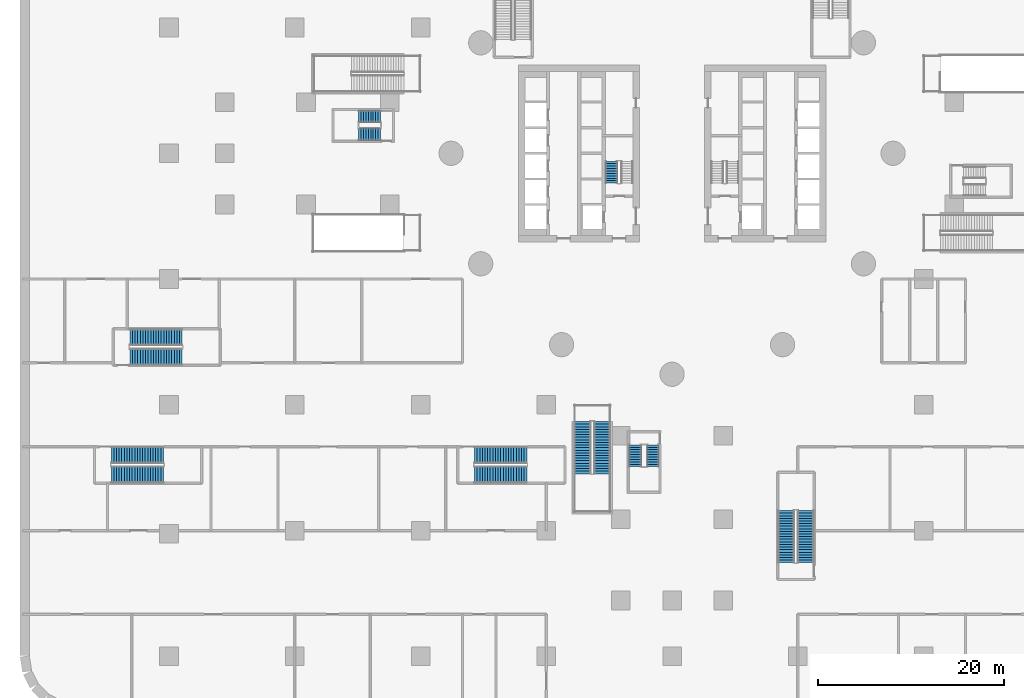
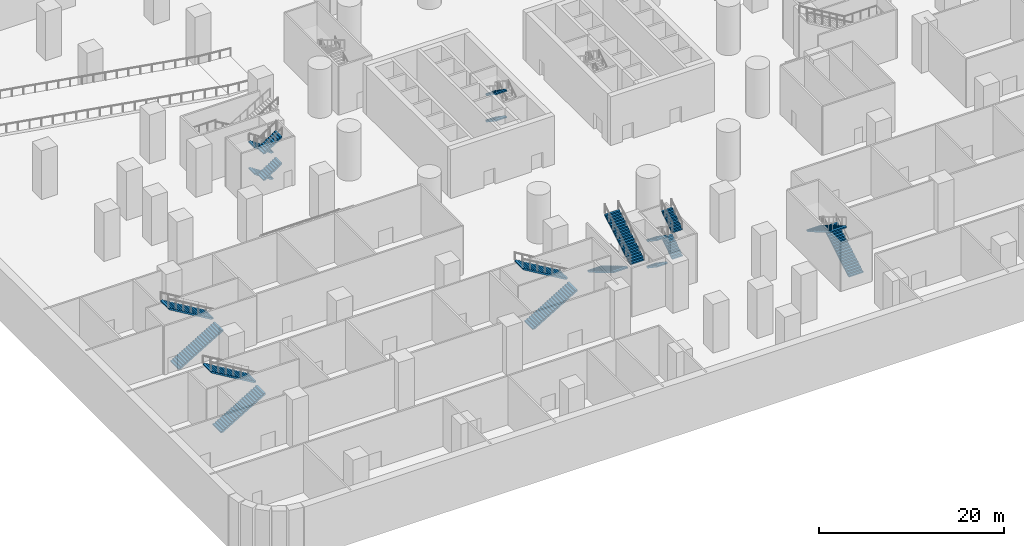
# One storey, part 16 of 37: 20 stair flights, 8 elements without a shape of their own.
"""IFC4 building model written with IfcOpenShell, lengths in metres."""

from ifc_helpers import new_model, si_unit, direction, frame, origin, place, context, subcontext, project, spatial, polyline, outline, extrude, material, type_object, element, aggregate, save


model = new_model("IFC4")

# Units and contexts
model_context = context("Model", 3, precision=1e-05, world=origin(), true_north=direction((0.0, 1.0)))
body_context = subcontext(model_context, "Body", "Model", "MODEL_VIEW")
ifc_project = project(units=[si_unit("LENGTHUNIT", "METRE"), si_unit("AREAUNIT", "SQUARE_METRE"), si_unit("VOLUMEUNIT", "CUBIC_METRE"), si_unit("PLANEANGLEUNIT", "RADIAN"), si_unit("MASSUNIT", "GRAM", prefix="KILO")], contexts=[model_context])

# Site, building, storey
site_placement = place(None, origin())
site = spatial("IfcSite", under=ifc_project, at=site_placement, CompositionType="ELEMENT")
building_placement = place(site_placement, origin())
building = spatial("IfcBuilding", under=site, at=building_placement, Name="Tamarind Cross Interchange Tower", CompositionType="ELEMENT")
storey_placement = place(building_placement, frame((0.0, 0.0, -7.0)))
storey = spatial("IfcBuildingStorey", under=building, at=storey_placement, Name="B1", CompositionType="ELEMENT", Elevation=-7.0)

# Stair, stair flights
ifc_material_1 = material(Name="Exit stair")
stair_type_1 = type_object("IfcStairType", Name="Exit stair", PredefinedType="HALF_TURN_STAIR", material=ifc_material_1)
stair_1_placement = place(storey_placement, origin())
stair_1 = element("IfcStair", 1, at=stair_1_placement, inside=storey, type_object=stair_type_1, Name="B1 exit stair ST1", PredefinedType="HALF_TURN_STAIR")
ifc_material_2 = material(Name="Exit stair flight")
stair_flight_type_1 = type_object("IfcStairFlightType", Name="Exit stair flight", PredefinedType="STRAIGHT", material=ifc_material_2)
stair_flight_1_placement = place(storey_placement, frame((-6.5, -0.860107421875, 1.75), z_axis=(0.0, 0.0, 1.0), x_axis=(0.0, -1.0, 0.0)))
stair_flight_1 = element("IfcStairFlight", 2, at=stair_flight_1_placement, type_object=stair_flight_type_1, Name="ST1 flight 2", NumberOfRisers=10, NumberOfTreads=9, PredefinedType="STRAIGHT", RiserHeight=0.175, TreadLength=0.26, context=body_context, shape_type="SweptSolid", body=[
    extrude(outline(polyline([(0.0, 0.0), (0.0, 0.175048828125), (0.260009765625, 0.175048828125), (0.260009765625, 0.35009765625), (0.52001953125, 0.35009765625), (0.52001953125, 0.52490234375), (0.780029296875, 0.52490234375), (0.780029296875, 0.699951171875), (1.0400390625, 0.699951171875), (1.0400390625, 0.875), (1.300048828125, 0.875), (1.300048828125, 1.050048828125), (1.56005859375, 1.050048828125), (1.56005859375, 1.22509765625), (1.820068359375, 1.22509765625), (1.820068359375, 1.39990234375), (2.080078125, 1.39990234375), (2.080078125, 1.574951171875), (2.340087890625, 1.574951171875), (2.340087890625, 1.75), (2.340087890625, 1.394287109375), (0.2685546875, 0.0), (0.0, 0.0)])), frame((0.0, 0.64990234375, 0.0), z_axis=(0.0, -1.0, 0.0), x_axis=(1.0, 0.0, 0.0)), (0.0, 0.0, 1.0), 1.300048828125),
])
stair_flight_2_placement = place(storey_placement, frame((-6.5, -0.860107421875, 5.25), z_axis=(0.0, 0.0, 1.0), x_axis=(0.0, -1.0, 0.0)))
stair_flight_2 = element("IfcStairFlight", 3, at=stair_flight_2_placement, type_object=stair_flight_type_1, Name="ST1 flight 4", NumberOfRisers=10, NumberOfTreads=9, PredefinedType="STRAIGHT", RiserHeight=0.175, TreadLength=0.26, context=body_context, shape_type="SweptSolid", body=[
    extrude(outline(polyline([(0.0, 0.0), (0.0, 0.175048828125), (0.260009765625, 0.175048828125), (0.260009765625, 0.35009765625), (0.52001953125, 0.35009765625), (0.52001953125, 0.52490234375), (0.780029296875, 0.52490234375), (0.780029296875, 0.699951171875), (1.0400390625, 0.699951171875), (1.0400390625, 0.875), (1.300048828125, 0.875), (1.300048828125, 1.050048828125), (1.56005859375, 1.050048828125), (1.56005859375, 1.22509765625), (1.820068359375, 1.22509765625), (1.820068359375, 1.39990234375), (2.080078125, 1.39990234375), (2.080078125, 1.574951171875), (2.340087890625, 1.574951171875), (2.340087890625, 1.75), (2.340087890625, 1.394287109375), (0.2685546875, 0.0), (0.0, 0.0)])), frame((0.0, 0.64990234375, 0.0), z_axis=(0.0, -1.0, 0.0), x_axis=(1.0, 0.0, 0.0)), (0.0, 0.0, 1.0), 1.300048828125),
])
aggregate(stair_1, [stair_flight_1, stair_flight_2])

stair_2_placement = place(storey_placement, origin())
stair_2 = element("IfcStair", 4, at=stair_2_placement, inside=storey, type_object=stair_type_1, Name="B1 exit stair ST5", PredefinedType="HALF_TURN_STAIR")
stair_flight_3_placement = place(storey_placement, frame((-31.300048828125, 3.949951171875, 0.0), z_axis=(0.0, 0.0, 1.0), x_axis=(-1.0, 0.0, 0.0)))
stair_flight_3 = element("IfcStairFlight", 5, at=stair_flight_3_placement, type_object=stair_flight_type_1, Name="ST5 flight 1", NumberOfRisers=10, NumberOfTreads=9, PredefinedType="STRAIGHT", RiserHeight=0.175, TreadLength=0.26, context=body_context, shape_type="SweptSolid", body=[
    extrude(outline(polyline([(0.0, 0.0), (0.0, 0.175048828125), (0.260009765625, 0.175048828125), (0.260009765625, 0.35009765625), (0.52001953125, 0.35009765625), (0.52001953125, 0.52490234375), (0.780029296875, 0.52490234375), (0.780029296875, 0.699951171875), (1.0400390625, 0.699951171875), (1.0400390625, 0.875), (1.300048828125, 0.875), (1.300048828125, 1.050048828125), (1.56005859375, 1.050048828125), (1.56005859375, 1.22509765625), (1.820068359375, 1.22509765625), (1.820068359375, 1.39990234375), (2.080078125, 1.39990234375), (2.080078125, 1.574951171875), (2.340087890625, 1.574951171875), (2.340087890625, 1.75), (2.340087890625, 1.394287109375), (0.2685546875, 0.0), (0.0, 0.0)])), frame((0.0, 0.64990234375, 0.0), z_axis=(0.0, -1.0, 0.0), x_axis=(1.0, 0.0, 0.0)), (0.0, 0.0, 1.0), 1.300048828125),
])
stair_flight_4_placement = place(storey_placement, frame((-33.639892578125, 2.050048828125, 1.75), z_axis=(0.0, 0.0, 1.0), x_axis=(1.0, 0.0, 0.0)))
stair_flight_4 = element("IfcStairFlight", 6, at=stair_flight_4_placement, type_object=stair_flight_type_1, Name="ST5 flight 2", NumberOfRisers=10, NumberOfTreads=9, PredefinedType="STRAIGHT", RiserHeight=0.175, TreadLength=0.26, context=body_context, shape_type="SweptSolid", body=[
    extrude(outline(polyline([(0.0, 0.0), (0.0, 0.175048828125), (0.260009765625, 0.175048828125), (0.260009765625, 0.35009765625), (0.52001953125, 0.35009765625), (0.52001953125, 0.52490234375), (0.780029296875, 0.52490234375), (0.780029296875, 0.699951171875), (1.0400390625, 0.699951171875), (1.0400390625, 0.875), (1.300048828125, 0.875), (1.300048828125, 1.050048828125), (1.56005859375, 1.050048828125), (1.56005859375, 1.22509765625), (1.820068359375, 1.22509765625), (1.820068359375, 1.39990234375), (2.080078125, 1.39990234375), (2.080078125, 1.574951171875), (2.340087890625, 1.574951171875), (2.340087890625, 1.75), (2.340087890625, 1.394287109375), (0.2685546875, 0.0), (0.0, 0.0)])), frame((0.0, 0.64990234375, 0.0), z_axis=(0.0, -1.0, 0.0), x_axis=(1.0, 0.0, 0.0)), (0.0, 0.0, 1.0), 1.300048828125),
])
stair_flight_5_placement = place(storey_placement, frame((-31.300048828125, 3.949951171875, 3.5), z_axis=(0.0, 0.0, 1.0), x_axis=(-1.0, 0.0, 0.0)))
stair_flight_5 = element("IfcStairFlight", 7, at=stair_flight_5_placement, type_object=stair_flight_type_1, Name="ST5 flight 3", NumberOfRisers=10, NumberOfTreads=9, PredefinedType="STRAIGHT", RiserHeight=0.175, TreadLength=0.26, context=body_context, shape_type="SweptSolid", body=[
    extrude(outline(polyline([(0.0, 0.0), (0.0, 0.175048828125), (0.260009765625, 0.175048828125), (0.260009765625, 0.35009765625), (0.52001953125, 0.35009765625), (0.52001953125, 0.52490234375), (0.780029296875, 0.52490234375), (0.780029296875, 0.699951171875), (1.0400390625, 0.699951171875), (1.0400390625, 0.875), (1.300048828125, 0.875), (1.300048828125, 1.050048828125), (1.56005859375, 1.050048828125), (1.56005859375, 1.22509765625), (1.820068359375, 1.22509765625), (1.820068359375, 1.39990234375), (2.080078125, 1.39990234375), (2.080078125, 1.574951171875), (2.340087890625, 1.574951171875), (2.340087890625, 1.75), (2.340087890625, 1.394287109375), (0.2685546875, 0.0), (0.0, 0.0)])), frame((0.0, 0.64990234375, 0.0), z_axis=(0.0, -1.0, 0.0), x_axis=(1.0, 0.0, 0.0)), (0.0, 0.0, 1.0), 1.300048828125),
])
stair_flight_6_placement = place(storey_placement, frame((-33.639892578125, 2.050048828125, 5.25), z_axis=(0.0, 0.0, 1.0), x_axis=(1.0, 0.0, 0.0)))
stair_flight_6 = element("IfcStairFlight", 8, at=stair_flight_6_placement, type_object=stair_flight_type_1, Name="ST5 flight 4", NumberOfRisers=10, NumberOfTreads=9, PredefinedType="STRAIGHT", RiserHeight=0.175, TreadLength=0.26, context=body_context, shape_type="SweptSolid", body=[
    extrude(outline(polyline([(0.0, 0.0), (0.0, 0.175048828125), (0.260009765625, 0.175048828125), (0.260009765625, 0.35009765625), (0.52001953125, 0.35009765625), (0.52001953125, 0.52490234375), (0.780029296875, 0.52490234375), (0.780029296875, 0.699951171875), (1.0400390625, 0.699951171875), (1.0400390625, 0.875), (1.300048828125, 0.875), (1.300048828125, 1.050048828125), (1.56005859375, 1.050048828125), (1.56005859375, 1.22509765625), (1.820068359375, 1.22509765625), (1.820068359375, 1.39990234375), (2.080078125, 1.39990234375), (2.080078125, 1.574951171875), (2.340087890625, 1.574951171875), (2.340087890625, 1.75), (2.340087890625, 1.394287109375), (0.2685546875, 0.0), (0.0, 0.0)])), frame((0.0, 0.64990234375, 0.0), z_axis=(0.0, -1.0, 0.0), x_axis=(1.0, 0.0, 0.0)), (0.0, 0.0, 1.0), 1.300048828125),
])
aggregate(stair_2, [stair_flight_3, stair_flight_4, stair_flight_5, stair_flight_6])

stair_3_placement = place(storey_placement, origin())
stair_3 = element("IfcStair", 9, at=stair_3_placement, inside=storey, type_object=stair_type_1, Name="B1 exit stair ST6", PredefinedType="HALF_TURN_STAIR")
stair_flight_7_placement = place(storey_placement, frame((-3.949951171875, -31.300048828125, 0.0), z_axis=(0.0, 0.0, 1.0), x_axis=(0.0, -1.0, 0.0)))
stair_flight_7 = element("IfcStairFlight", 10, at=stair_flight_7_placement, type_object=stair_flight_type_1, Name="ST6 flight 1", NumberOfRisers=10, NumberOfTreads=9, PredefinedType="STRAIGHT", RiserHeight=0.175, TreadLength=0.26, context=body_context, shape_type="SweptSolid", body=[
    extrude(outline(polyline([(0.0, 0.0), (0.0, 0.175048828125), (0.260009765625, 0.175048828125), (0.260009765625, 0.35009765625), (0.52001953125, 0.35009765625), (0.52001953125, 0.52490234375), (0.780029296875, 0.52490234375), (0.780029296875, 0.699951171875), (1.0400390625, 0.699951171875), (1.0400390625, 0.875), (1.300048828125, 0.875), (1.300048828125, 1.050048828125), (1.56005859375, 1.050048828125), (1.56005859375, 1.22509765625), (1.820068359375, 1.22509765625), (1.820068359375, 1.39990234375), (2.080078125, 1.39990234375), (2.080078125, 1.574951171875), (2.340087890625, 1.574951171875), (2.340087890625, 1.75), (2.340087890625, 1.394287109375), (0.2685546875, 0.0), (0.0, 0.0)])), frame((0.0, 0.64990234375, 0.0), z_axis=(0.0, -1.0, 0.0), x_axis=(1.0, 0.0, 0.0)), (0.0, 0.0, 1.0), 1.300048828125),
])
stair_flight_8_placement = place(storey_placement, frame((-2.050048828125, -33.639892578125, 1.75), z_axis=(0.0, 0.0, 1.0), x_axis=(0.0, 1.0, 0.0)))
stair_flight_8 = element("IfcStairFlight", 11, at=stair_flight_8_placement, type_object=stair_flight_type_1, Name="ST6 flight 2", NumberOfRisers=10, NumberOfTreads=9, PredefinedType="STRAIGHT", RiserHeight=0.175, TreadLength=0.26, context=body_context, shape_type="SweptSolid", body=[
    extrude(outline(polyline([(0.0, 0.0), (0.0, 0.175048828125), (0.260009765625, 0.175048828125), (0.260009765625, 0.35009765625), (0.52001953125, 0.35009765625), (0.52001953125, 0.52490234375), (0.780029296875, 0.52490234375), (0.780029296875, 0.699951171875), (1.0400390625, 0.699951171875), (1.0400390625, 0.875), (1.300048828125, 0.875), (1.300048828125, 1.050048828125), (1.56005859375, 1.050048828125), (1.56005859375, 1.22509765625), (1.820068359375, 1.22509765625), (1.820068359375, 1.39990234375), (2.080078125, 1.39990234375), (2.080078125, 1.574951171875), (2.340087890625, 1.574951171875), (2.340087890625, 1.75), (2.340087890625, 1.394287109375), (0.2685546875, 0.0), (0.0, 0.0)])), frame((0.0, 0.64990234375, 0.0), z_axis=(0.0, -1.0, 0.0), x_axis=(1.0, 0.0, 0.0)), (0.0, 0.0, 1.0), 1.300048828125),
])
stair_flight_9_placement = place(storey_placement, frame((-3.949951171875, -31.300048828125, 3.5), z_axis=(0.0, 0.0, 1.0), x_axis=(0.0, -1.0, 0.0)))
stair_flight_9 = element("IfcStairFlight", 12, at=stair_flight_9_placement, type_object=stair_flight_type_1, Name="ST6 flight 3", NumberOfRisers=10, NumberOfTreads=9, PredefinedType="STRAIGHT", RiserHeight=0.175, TreadLength=0.26, context=body_context, shape_type="SweptSolid", body=[
    extrude(outline(polyline([(0.0, 0.0), (0.0, 0.175048828125), (0.260009765625, 0.175048828125), (0.260009765625, 0.35009765625), (0.52001953125, 0.35009765625), (0.52001953125, 0.52490234375), (0.780029296875, 0.52490234375), (0.780029296875, 0.699951171875), (1.0400390625, 0.699951171875), (1.0400390625, 0.875), (1.300048828125, 0.875), (1.300048828125, 1.050048828125), (1.56005859375, 1.050048828125), (1.56005859375, 1.22509765625), (1.820068359375, 1.22509765625), (1.820068359375, 1.39990234375), (2.080078125, 1.39990234375), (2.080078125, 1.574951171875), (2.340087890625, 1.574951171875), (2.340087890625, 1.75), (2.340087890625, 1.394287109375), (0.2685546875, 0.0), (0.0, 0.0)])), frame((0.0, 0.64990234375, 0.0), z_axis=(0.0, -1.0, 0.0), x_axis=(1.0, 0.0, 0.0)), (0.0, 0.0, 1.0), 1.300048828125),
])
stair_flight_10_placement = place(storey_placement, frame((-2.050048828125, -33.639892578125, 5.25), z_axis=(0.0, 0.0, 1.0), x_axis=(0.0, 1.0, 0.0)))
stair_flight_10 = element("IfcStairFlight", 13, at=stair_flight_10_placement, type_object=stair_flight_type_1, Name="ST6 flight 4", NumberOfRisers=10, NumberOfTreads=9, PredefinedType="STRAIGHT", RiserHeight=0.175, TreadLength=0.26, context=body_context, shape_type="SweptSolid", body=[
    extrude(outline(polyline([(0.0, 0.0), (0.0, 0.175048828125), (0.260009765625, 0.175048828125), (0.260009765625, 0.35009765625), (0.52001953125, 0.35009765625), (0.52001953125, 0.52490234375), (0.780029296875, 0.52490234375), (0.780029296875, 0.699951171875), (1.0400390625, 0.699951171875), (1.0400390625, 0.875), (1.300048828125, 0.875), (1.300048828125, 1.050048828125), (1.56005859375, 1.050048828125), (1.56005859375, 1.22509765625), (1.820068359375, 1.22509765625), (1.820068359375, 1.39990234375), (2.080078125, 1.39990234375), (2.080078125, 1.574951171875), (2.340087890625, 1.574951171875), (2.340087890625, 1.75), (2.340087890625, 1.394287109375), (0.2685546875, 0.0), (0.0, 0.0)])), frame((0.0, 0.64990234375, 0.0), z_axis=(0.0, -1.0, 0.0), x_axis=(1.0, 0.0, 0.0)), (0.0, 0.0, 1.0), 1.300048828125),
])
aggregate(stair_3, [stair_flight_7, stair_flight_8, stair_flight_9, stair_flight_10])

ifc_material_3 = material(Name="Public stair")
stair_type_2 = type_object("IfcStairType", Name="Public stair", PredefinedType="HALF_TURN_STAIR", material=ifc_material_3)
stair_4_placement = place(storey_placement, origin())
stair_4 = element("IfcStair", 14, at=stair_4_placement, inside=storey, type_object=stair_type_2, Name="B1 public stair PS-S", PredefinedType="HALF_TURN_STAIR")
ifc_material_4 = material(Name="Public stair flight")
stair_flight_type_2 = type_object("IfcStairFlightType", Name="Public stair flight", PredefinedType="STRAIGHT", material=ifc_material_4)
stair_flight_11_placement = place(storey_placement, frame((-9.60009765625, -28.800048828125, 0.0), z_axis=(0.0, 0.0, 1.0), x_axis=(0.0, -1.0, 0.0)))
stair_flight_11 = element("IfcStairFlight", 15, at=stair_flight_11_placement, type_object=stair_flight_type_2, Name="PS-S flight 1", NumberOfRisers=21, NumberOfTreads=20, PredefinedType="STRAIGHT", RiserHeight=0.166666667, TreadLength=0.28, context=body_context, shape_type="SweptSolid", body=[
    extrude(outline(polyline([(0.0, 0.0), (0.0, 0.166748046875), (0.280029296875, 0.166748046875), (0.280029296875, 0.333251953125), (0.56005859375, 0.333251953125), (0.56005859375, 0.5), (0.840087890625, 0.5), (0.840087890625, 0.666748046875), (1.1201171875, 0.666748046875), (1.1201171875, 0.833251953125), (1.39990234375, 0.833251953125), (1.39990234375, 1.0), (1.679931640625, 1.0), (1.679931640625, 1.166748046875), (1.9599609375, 1.166748046875), (1.9599609375, 1.333251953125), (2.239990234375, 1.333251953125), (2.239990234375, 1.5), (2.52001953125, 1.5), (2.52001953125, 1.666748046875), (2.800048828125, 1.666748046875), (2.800048828125, 1.833251953125), (3.080078125, 1.833251953125), (3.080078125, 2.0), (3.360107421875, 2.0), (3.360107421875, 2.166748046875), (3.639892578125, 2.166748046875), (3.639892578125, 2.333251953125), (3.919921875, 2.333251953125), (3.919921875, 2.5), (4.199951171875, 2.5), (4.199951171875, 2.666748046875), (4.47998046875, 2.666748046875), (4.47998046875, 2.833251953125), (4.760009765625, 2.833251953125), (4.760009765625, 3.0), (5.0400390625, 3.0), (5.0400390625, 3.166748046875), (5.320068359375, 3.166748046875), (5.320068359375, 3.333251953125), (5.60009765625, 3.333251953125), (5.60009765625, 3.5), (5.60009765625, 3.158935546875), (0.29296875, 0.0), (0.0, 0.0)])), frame((0.0, 0.89990234375, 0.0), z_axis=(0.0, -1.0, 0.0), x_axis=(1.0, 0.0, 0.0)), (0.0, 0.0, 1.0), 1.800048828125),
])
stair_flight_12_placement = place(storey_placement, frame((-7.5, -34.39990234375, 3.5), z_axis=(0.0, 0.0, 1.0), x_axis=(0.0, 1.0, 0.0)))
stair_flight_12 = element("IfcStairFlight", 16, at=stair_flight_12_placement, type_object=stair_flight_type_2, Name="PS-S flight 2", NumberOfRisers=21, NumberOfTreads=20, PredefinedType="STRAIGHT", RiserHeight=0.166666667, TreadLength=0.28, context=body_context, shape_type="SweptSolid", body=[
    extrude(outline(polyline([(0.0, 0.0), (0.0, 0.166748046875), (0.280029296875, 0.166748046875), (0.280029296875, 0.333251953125), (0.56005859375, 0.333251953125), (0.56005859375, 0.5), (0.840087890625, 0.5), (0.840087890625, 0.666748046875), (1.1201171875, 0.666748046875), (1.1201171875, 0.833251953125), (1.39990234375, 0.833251953125), (1.39990234375, 1.0), (1.679931640625, 1.0), (1.679931640625, 1.166748046875), (1.9599609375, 1.166748046875), (1.9599609375, 1.333251953125), (2.239990234375, 1.333251953125), (2.239990234375, 1.5), (2.52001953125, 1.5), (2.52001953125, 1.666748046875), (2.800048828125, 1.666748046875), (2.800048828125, 1.833251953125), (3.080078125, 1.833251953125), (3.080078125, 2.0), (3.360107421875, 2.0), (3.360107421875, 2.166748046875), (3.639892578125, 2.166748046875), (3.639892578125, 2.333251953125), (3.919921875, 2.333251953125), (3.919921875, 2.5), (4.199951171875, 2.5), (4.199951171875, 2.666748046875), (4.47998046875, 2.666748046875), (4.47998046875, 2.833251953125), (4.760009765625, 2.833251953125), (4.760009765625, 3.0), (5.0400390625, 3.0), (5.0400390625, 3.166748046875), (5.320068359375, 3.166748046875), (5.320068359375, 3.333251953125), (5.60009765625, 3.333251953125), (5.60009765625, 3.5), (5.60009765625, 3.158935546875), (0.29296875, 0.0), (0.0, 0.0)])), frame((0.0, 0.89990234375, 0.0), z_axis=(0.0, -1.0, 0.0), x_axis=(1.0, 0.0, 0.0)), (0.0, 0.0, 1.0), 1.800048828125),
])
aggregate(stair_4, [stair_flight_11, stair_flight_12])

stair_5_placement = place(storey_placement, origin())
stair_5 = element("IfcStair", 17, at=stair_5_placement, inside=storey, type_object=stair_type_2, Name="B1 exit stair XS-P07", PredefinedType="HALF_TURN_STAIR")
stair_flight_13_placement = place(storey_placement, frame((-60.199951171875, -34.5, 0.0), z_axis=(0.0, 0.0, 1.0), x_axis=(1.0, 0.0, 0.0)))
stair_flight_13 = element("IfcStairFlight", 18, at=stair_flight_13_placement, type_object=stair_flight_type_2, Name="XS-P07 flight 1", NumberOfRisers=21, NumberOfTreads=20, PredefinedType="STRAIGHT", RiserHeight=0.166666667, TreadLength=0.28, context=body_context, shape_type="SweptSolid", body=[
    extrude(outline(polyline([(0.0, 0.0), (0.0, 0.166748046875), (0.280029296875, 0.166748046875), (0.280029296875, 0.333251953125), (0.56005859375, 0.333251953125), (0.56005859375, 0.5), (0.840087890625, 0.5), (0.840087890625, 0.666748046875), (1.1201171875, 0.666748046875), (1.1201171875, 0.833251953125), (1.39990234375, 0.833251953125), (1.39990234375, 1.0), (1.679931640625, 1.0), (1.679931640625, 1.166748046875), (1.9599609375, 1.166748046875), (1.9599609375, 1.333251953125), (2.239990234375, 1.333251953125), (2.239990234375, 1.5), (2.52001953125, 1.5), (2.52001953125, 1.666748046875), (2.800048828125, 1.666748046875), (2.800048828125, 1.833251953125), (3.080078125, 1.833251953125), (3.080078125, 2.0), (3.360107421875, 2.0), (3.360107421875, 2.166748046875), (3.639892578125, 2.166748046875), (3.639892578125, 2.333251953125), (3.919921875, 2.333251953125), (3.919921875, 2.5), (4.199951171875, 2.5), (4.199951171875, 2.666748046875), (4.47998046875, 2.666748046875), (4.47998046875, 2.833251953125), (4.760009765625, 2.833251953125), (4.760009765625, 3.0), (5.0400390625, 3.0), (5.0400390625, 3.166748046875), (5.320068359375, 3.166748046875), (5.320068359375, 3.333251953125), (5.60009765625, 3.333251953125), (5.60009765625, 3.5), (5.60009765625, 3.158935546875), (0.29296875, 0.0), (0.0, 0.0)])), frame((0.0, 0.89990234375, 0.0), z_axis=(0.0, -1.0, 0.0), x_axis=(1.0, 0.0, 0.0)), (0.0, 0.0, 1.0), 1.800048828125),
])
stair_flight_14_placement = place(storey_placement, frame((-54.60009765625, -32.39990234375, 3.5), z_axis=(0.0, 0.0, 1.0), x_axis=(-1.0, 0.0, 0.0)))
stair_flight_14 = element("IfcStairFlight", 19, at=stair_flight_14_placement, type_object=stair_flight_type_2, Name="XS-P07 flight 2", NumberOfRisers=21, NumberOfTreads=20, PredefinedType="STRAIGHT", RiserHeight=0.166666667, TreadLength=0.28, context=body_context, shape_type="SweptSolid", body=[
    extrude(outline(polyline([(0.0, 0.0), (0.0, 0.166748046875), (0.280029296875, 0.166748046875), (0.280029296875, 0.333251953125), (0.56005859375, 0.333251953125), (0.56005859375, 0.5), (0.840087890625, 0.5), (0.840087890625, 0.666748046875), (1.1201171875, 0.666748046875), (1.1201171875, 0.833251953125), (1.39990234375, 0.833251953125), (1.39990234375, 1.0), (1.679931640625, 1.0), (1.679931640625, 1.166748046875), (1.9599609375, 1.166748046875), (1.9599609375, 1.333251953125), (2.239990234375, 1.333251953125), (2.239990234375, 1.5), (2.52001953125, 1.5), (2.52001953125, 1.666748046875), (2.800048828125, 1.666748046875), (2.800048828125, 1.833251953125), (3.080078125, 1.833251953125), (3.080078125, 2.0), (3.360107421875, 2.0), (3.360107421875, 2.166748046875), (3.639892578125, 2.166748046875), (3.639892578125, 2.333251953125), (3.919921875, 2.333251953125), (3.919921875, 2.5), (4.199951171875, 2.5), (4.199951171875, 2.666748046875), (4.47998046875, 2.666748046875), (4.47998046875, 2.833251953125), (4.760009765625, 2.833251953125), (4.760009765625, 3.0), (5.0400390625, 3.0), (5.0400390625, 3.166748046875), (5.320068359375, 3.166748046875), (5.320068359375, 3.333251953125), (5.60009765625, 3.333251953125), (5.60009765625, 3.5), (5.60009765625, 3.158935546875), (0.29296875, 0.0), (0.0, 0.0)])), frame((0.0, 0.89990234375, 0.0), z_axis=(0.0, -1.0, 0.0), x_axis=(1.0, 0.0, 0.0)), (0.0, 0.0, 1.0), 1.800048828125),
])
aggregate(stair_5, [stair_flight_13, stair_flight_14])

stair_6_placement = place(storey_placement, origin())
stair_6 = element("IfcStair", 20, at=stair_6_placement, inside=storey, type_object=stair_type_2, Name="B1 exit stair XS-P08", PredefinedType="HALF_TURN_STAIR")
stair_flight_15_placement = place(storey_placement, frame((-58.199951171875, -21.85009765625, 0.0), z_axis=(0.0, 0.0, 1.0), x_axis=(1.0, 0.0, 0.0)))
stair_flight_15 = element("IfcStairFlight", 21, at=stair_flight_15_placement, type_object=stair_flight_type_2, Name="XS-P08 flight 1", NumberOfRisers=21, NumberOfTreads=20, PredefinedType="STRAIGHT", RiserHeight=0.166666667, TreadLength=0.28, context=body_context, shape_type="SweptSolid", body=[
    extrude(outline(polyline([(0.0, 0.0), (0.0, 0.166748046875), (0.280029296875, 0.166748046875), (0.280029296875, 0.333251953125), (0.56005859375, 0.333251953125), (0.56005859375, 0.5), (0.840087890625, 0.5), (0.840087890625, 0.666748046875), (1.1201171875, 0.666748046875), (1.1201171875, 0.833251953125), (1.39990234375, 0.833251953125), (1.39990234375, 1.0), (1.679931640625, 1.0), (1.679931640625, 1.166748046875), (1.9599609375, 1.166748046875), (1.9599609375, 1.333251953125), (2.239990234375, 1.333251953125), (2.239990234375, 1.5), (2.52001953125, 1.5), (2.52001953125, 1.666748046875), (2.800048828125, 1.666748046875), (2.800048828125, 1.833251953125), (3.080078125, 1.833251953125), (3.080078125, 2.0), (3.360107421875, 2.0), (3.360107421875, 2.166748046875), (3.639892578125, 2.166748046875), (3.639892578125, 2.333251953125), (3.919921875, 2.333251953125), (3.919921875, 2.5), (4.199951171875, 2.5), (4.199951171875, 2.666748046875), (4.47998046875, 2.666748046875), (4.47998046875, 2.833251953125), (4.760009765625, 2.833251953125), (4.760009765625, 3.0), (5.0400390625, 3.0), (5.0400390625, 3.166748046875), (5.320068359375, 3.166748046875), (5.320068359375, 3.333251953125), (5.60009765625, 3.333251953125), (5.60009765625, 3.5), (5.60009765625, 3.158935546875), (0.29296875, 0.0), (0.0, 0.0)])), frame((0.0, 0.89990234375, 0.0), z_axis=(0.0, -1.0, 0.0), x_axis=(1.0, 0.0, 0.0)), (0.0, 0.0, 1.0), 1.800048828125),
])
stair_flight_16_placement = place(storey_placement, frame((-52.60009765625, -19.75, 3.5), z_axis=(0.0, 0.0, 1.0), x_axis=(-1.0, 0.0, 0.0)))
stair_flight_16 = element("IfcStairFlight", 22, at=stair_flight_16_placement, type_object=stair_flight_type_2, Name="XS-P08 flight 2", NumberOfRisers=21, NumberOfTreads=20, PredefinedType="STRAIGHT", RiserHeight=0.166666667, TreadLength=0.28, context=body_context, shape_type="SweptSolid", body=[
    extrude(outline(polyline([(0.0, 0.0), (0.0, 0.166748046875), (0.280029296875, 0.166748046875), (0.280029296875, 0.333251953125), (0.56005859375, 0.333251953125), (0.56005859375, 0.5), (0.840087890625, 0.5), (0.840087890625, 0.666748046875), (1.1201171875, 0.666748046875), (1.1201171875, 0.833251953125), (1.39990234375, 0.833251953125), (1.39990234375, 1.0), (1.679931640625, 1.0), (1.679931640625, 1.166748046875), (1.9599609375, 1.166748046875), (1.9599609375, 1.333251953125), (2.239990234375, 1.333251953125), (2.239990234375, 1.5), (2.52001953125, 1.5), (2.52001953125, 1.666748046875), (2.800048828125, 1.666748046875), (2.800048828125, 1.833251953125), (3.080078125, 1.833251953125), (3.080078125, 2.0), (3.360107421875, 2.0), (3.360107421875, 2.166748046875), (3.639892578125, 2.166748046875), (3.639892578125, 2.333251953125), (3.919921875, 2.333251953125), (3.919921875, 2.5), (4.199951171875, 2.5), (4.199951171875, 2.666748046875), (4.47998046875, 2.666748046875), (4.47998046875, 2.833251953125), (4.760009765625, 2.833251953125), (4.760009765625, 3.0), (5.0400390625, 3.0), (5.0400390625, 3.166748046875), (5.320068359375, 3.166748046875), (5.320068359375, 3.333251953125), (5.60009765625, 3.333251953125), (5.60009765625, 3.5), (5.60009765625, 3.158935546875), (0.29296875, 0.0), (0.0, 0.0)])), frame((0.0, 0.89990234375, 0.0), z_axis=(0.0, -1.0, 0.0), x_axis=(1.0, 0.0, 0.0)), (0.0, 0.0, 1.0), 1.800048828125),
])
aggregate(stair_6, [stair_flight_15, stair_flight_16])

stair_7_placement = place(storey_placement, origin())
stair_7 = element("IfcStair", 23, at=stair_7_placement, inside=storey, type_object=stair_type_2, Name="B1 exit stair XS-P09", PredefinedType="HALF_TURN_STAIR")
stair_flight_17_placement = place(storey_placement, frame((-21.199951171875, -34.5, 0.0), z_axis=(0.0, 0.0, 1.0), x_axis=(1.0, 0.0, 0.0)))
stair_flight_17 = element("IfcStairFlight", 24, at=stair_flight_17_placement, type_object=stair_flight_type_2, Name="XS-P09 flight 1", NumberOfRisers=21, NumberOfTreads=20, PredefinedType="STRAIGHT", RiserHeight=0.166666667, TreadLength=0.28, context=body_context, shape_type="SweptSolid", body=[
    extrude(outline(polyline([(0.0, 0.0), (0.0, 0.166748046875), (0.280029296875, 0.166748046875), (0.280029296875, 0.333251953125), (0.56005859375, 0.333251953125), (0.56005859375, 0.5), (0.840087890625, 0.5), (0.840087890625, 0.666748046875), (1.1201171875, 0.666748046875), (1.1201171875, 0.833251953125), (1.39990234375, 0.833251953125), (1.39990234375, 1.0), (1.679931640625, 1.0), (1.679931640625, 1.166748046875), (1.9599609375, 1.166748046875), (1.9599609375, 1.333251953125), (2.239990234375, 1.333251953125), (2.239990234375, 1.5), (2.52001953125, 1.5), (2.52001953125, 1.666748046875), (2.800048828125, 1.666748046875), (2.800048828125, 1.833251953125), (3.080078125, 1.833251953125), (3.080078125, 2.0), (3.360107421875, 2.0), (3.360107421875, 2.166748046875), (3.639892578125, 2.166748046875), (3.639892578125, 2.333251953125), (3.919921875, 2.333251953125), (3.919921875, 2.5), (4.199951171875, 2.5), (4.199951171875, 2.666748046875), (4.47998046875, 2.666748046875), (4.47998046875, 2.833251953125), (4.760009765625, 2.833251953125), (4.760009765625, 3.0), (5.0400390625, 3.0), (5.0400390625, 3.166748046875), (5.320068359375, 3.166748046875), (5.320068359375, 3.333251953125), (5.60009765625, 3.333251953125), (5.60009765625, 3.5), (5.60009765625, 3.158935546875), (0.29296875, 0.0), (0.0, 0.0)])), frame((0.0, 0.89990234375, 0.0), z_axis=(0.0, -1.0, 0.0), x_axis=(1.0, 0.0, 0.0)), (0.0, 0.0, 1.0), 1.800048828125),
])
stair_flight_18_placement = place(storey_placement, frame((-15.60009765625, -32.39990234375, 3.5), z_axis=(0.0, 0.0, 1.0), x_axis=(-1.0, 0.0, 0.0)))
stair_flight_18 = element("IfcStairFlight", 25, at=stair_flight_18_placement, type_object=stair_flight_type_2, Name="XS-P09 flight 2", NumberOfRisers=21, NumberOfTreads=20, PredefinedType="STRAIGHT", RiserHeight=0.166666667, TreadLength=0.28, context=body_context, shape_type="SweptSolid", body=[
    extrude(outline(polyline([(0.0, 0.0), (0.0, 0.166748046875), (0.280029296875, 0.166748046875), (0.280029296875, 0.333251953125), (0.56005859375, 0.333251953125), (0.56005859375, 0.5), (0.840087890625, 0.5), (0.840087890625, 0.666748046875), (1.1201171875, 0.666748046875), (1.1201171875, 0.833251953125), (1.39990234375, 0.833251953125), (1.39990234375, 1.0), (1.679931640625, 1.0), (1.679931640625, 1.166748046875), (1.9599609375, 1.166748046875), (1.9599609375, 1.333251953125), (2.239990234375, 1.333251953125), (2.239990234375, 1.5), (2.52001953125, 1.5), (2.52001953125, 1.666748046875), (2.800048828125, 1.666748046875), (2.800048828125, 1.833251953125), (3.080078125, 1.833251953125), (3.080078125, 2.0), (3.360107421875, 2.0), (3.360107421875, 2.166748046875), (3.639892578125, 2.166748046875), (3.639892578125, 2.333251953125), (3.919921875, 2.333251953125), (3.919921875, 2.5), (4.199951171875, 2.5), (4.199951171875, 2.666748046875), (4.47998046875, 2.666748046875), (4.47998046875, 2.833251953125), (4.760009765625, 2.833251953125), (4.760009765625, 3.0), (5.0400390625, 3.0), (5.0400390625, 3.166748046875), (5.320068359375, 3.166748046875), (5.320068359375, 3.333251953125), (5.60009765625, 3.333251953125), (5.60009765625, 3.5), (5.60009765625, 3.158935546875), (0.29296875, 0.0), (0.0, 0.0)])), frame((0.0, 0.89990234375, 0.0), z_axis=(0.0, -1.0, 0.0), x_axis=(1.0, 0.0, 0.0)), (0.0, 0.0, 1.0), 1.800048828125),
])
aggregate(stair_7, [stair_flight_17, stair_flight_18])

stair_8_placement = place(storey_placement, origin())
stair_8 = element("IfcStair", 26, at=stair_8_placement, inside=storey, type_object=stair_type_2, Name="B1 exit stair XS-P12", PredefinedType="HALF_TURN_STAIR")
stair_flight_19_placement = place(storey_placement, frame((14.35009765625, -43.949951171875, 0.0), z_axis=(0.0, 0.0, 1.0), x_axis=(0.0, 1.0, 0.0)))
stair_flight_19 = element("IfcStairFlight", 27, at=stair_flight_19_placement, type_object=stair_flight_type_2, Name="XS-P12 flight 1", NumberOfRisers=21, NumberOfTreads=20, PredefinedType="STRAIGHT", RiserHeight=0.166666667, TreadLength=0.28, context=body_context, shape_type="SweptSolid", body=[
    extrude(outline(polyline([(0.0, 0.0), (0.0, 0.166748046875), (0.280029296875, 0.166748046875), (0.280029296875, 0.333251953125), (0.56005859375, 0.333251953125), (0.56005859375, 0.5), (0.840087890625, 0.5), (0.840087890625, 0.666748046875), (1.1201171875, 0.666748046875), (1.1201171875, 0.833251953125), (1.39990234375, 0.833251953125), (1.39990234375, 1.0), (1.679931640625, 1.0), (1.679931640625, 1.166748046875), (1.9599609375, 1.166748046875), (1.9599609375, 1.333251953125), (2.239990234375, 1.333251953125), (2.239990234375, 1.5), (2.52001953125, 1.5), (2.52001953125, 1.666748046875), (2.800048828125, 1.666748046875), (2.800048828125, 1.833251953125), (3.080078125, 1.833251953125), (3.080078125, 2.0), (3.360107421875, 2.0), (3.360107421875, 2.166748046875), (3.639892578125, 2.166748046875), (3.639892578125, 2.333251953125), (3.919921875, 2.333251953125), (3.919921875, 2.5), (4.199951171875, 2.5), (4.199951171875, 2.666748046875), (4.47998046875, 2.666748046875), (4.47998046875, 2.833251953125), (4.760009765625, 2.833251953125), (4.760009765625, 3.0), (5.0400390625, 3.0), (5.0400390625, 3.166748046875), (5.320068359375, 3.166748046875), (5.320068359375, 3.333251953125), (5.60009765625, 3.333251953125), (5.60009765625, 3.5), (5.60009765625, 3.158935546875), (0.29296875, 0.0), (0.0, 0.0)])), frame((0.0, 0.89990234375, 0.0), z_axis=(0.0, -1.0, 0.0), x_axis=(1.0, 0.0, 0.0)), (0.0, 0.0, 1.0), 1.800048828125),
])
stair_flight_20_placement = place(storey_placement, frame((12.25, -38.35009765625, 3.5), z_axis=(0.0, 0.0, 1.0), x_axis=(0.0, -1.0, 0.0)))
stair_flight_20 = element("IfcStairFlight", 28, at=stair_flight_20_placement, type_object=stair_flight_type_2, Name="XS-P12 flight 2", NumberOfRisers=21, NumberOfTreads=20, PredefinedType="STRAIGHT", RiserHeight=0.166666667, TreadLength=0.28, context=body_context, shape_type="SweptSolid", body=[
    extrude(outline(polyline([(0.0, 0.0), (0.0, 0.166748046875), (0.280029296875, 0.166748046875), (0.280029296875, 0.333251953125), (0.56005859375, 0.333251953125), (0.56005859375, 0.5), (0.840087890625, 0.5), (0.840087890625, 0.666748046875), (1.1201171875, 0.666748046875), (1.1201171875, 0.833251953125), (1.39990234375, 0.833251953125), (1.39990234375, 1.0), (1.679931640625, 1.0), (1.679931640625, 1.166748046875), (1.9599609375, 1.166748046875), (1.9599609375, 1.333251953125), (2.239990234375, 1.333251953125), (2.239990234375, 1.5), (2.52001953125, 1.5), (2.52001953125, 1.666748046875), (2.800048828125, 1.666748046875), (2.800048828125, 1.833251953125), (3.080078125, 1.833251953125), (3.080078125, 2.0), (3.360107421875, 2.0), (3.360107421875, 2.166748046875), (3.639892578125, 2.166748046875), (3.639892578125, 2.333251953125), (3.919921875, 2.333251953125), (3.919921875, 2.5), (4.199951171875, 2.5), (4.199951171875, 2.666748046875), (4.47998046875, 2.666748046875), (4.47998046875, 2.833251953125), (4.760009765625, 2.833251953125), (4.760009765625, 3.0), (5.0400390625, 3.0), (5.0400390625, 3.166748046875), (5.320068359375, 3.166748046875), (5.320068359375, 3.333251953125), (5.60009765625, 3.333251953125), (5.60009765625, 3.5), (5.60009765625, 3.158935546875), (0.29296875, 0.0), (0.0, 0.0)])), frame((0.0, 0.89990234375, 0.0), z_axis=(0.0, -1.0, 0.0), x_axis=(1.0, 0.0, 0.0)), (0.0, 0.0, 1.0), 1.800048828125),
])
aggregate(stair_8, [stair_flight_19, stair_flight_20])

save(model, "model.ifc")
